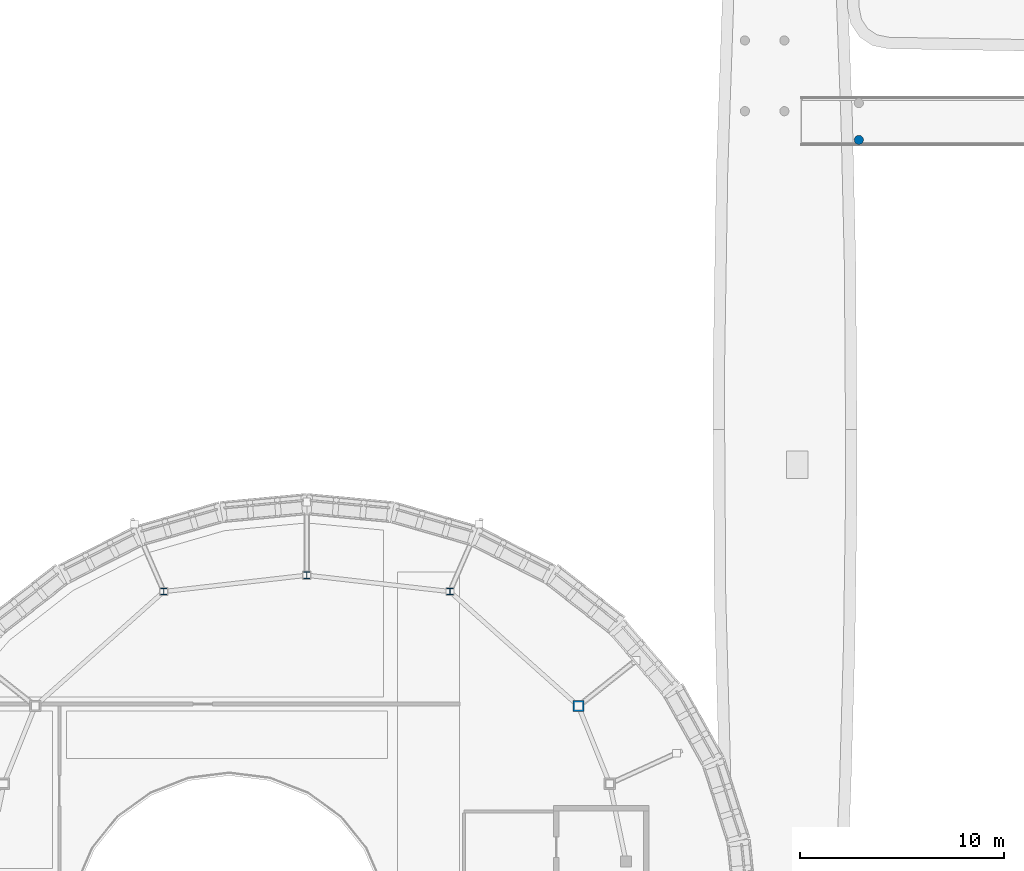
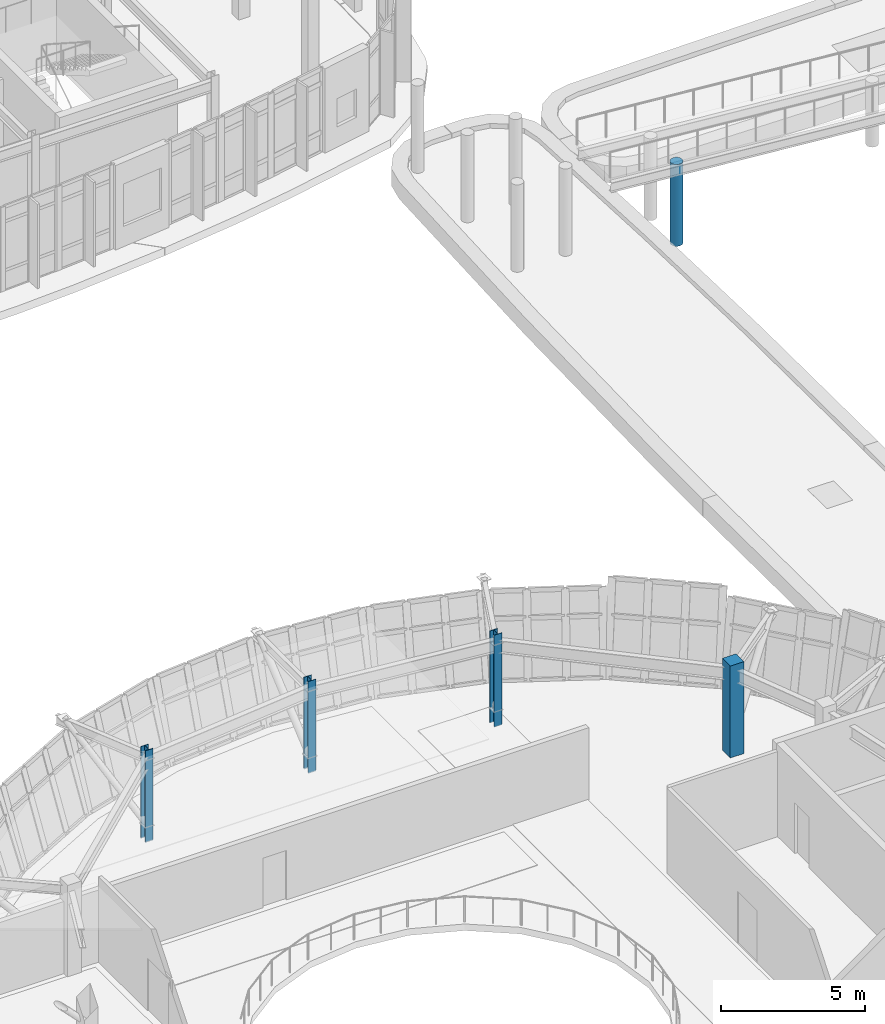
# One storey, part 3 of 111: 5 columns.
"""IFC4 building model written with IfcOpenShell, lengths in metres."""

from ifc_helpers import new_model, si_unit, direction, frame, origin, origin_2d, place, context, subcontext, project, spatial, rectangle, circle, i_section, extrude, material, material_profile, profile_set, type_object, element, save


model = new_model("IFC4")

# Units and contexts
model_context = context("Model", 3, precision=1e-05, world=origin(), true_north=direction((0.0, 1.0)))
body_context = subcontext(model_context, "Body", "Model", "MODEL_VIEW")
ifc_project = project(units=[si_unit("LENGTHUNIT", "METRE"), si_unit("AREAUNIT", "SQUARE_METRE"), si_unit("VOLUMEUNIT", "CUBIC_METRE"), si_unit("PLANEANGLEUNIT", "RADIAN"), si_unit("MASSUNIT", "GRAM", prefix="KILO")], contexts=[model_context])

# Site, building, storey
site_placement = place(None, origin())
site = spatial("IfcSite", under=ifc_project, at=site_placement, CompositionType="ELEMENT")
building_placement = place(site_placement, origin())
building = spatial("IfcBuilding", under=site, at=building_placement, Name="Corveleigh Park Community Centre", CompositionType="ELEMENT")
storey_placement = place(building_placement, frame((0.0, 0.0, 4.800048828125)))
storey = spatial("IfcBuildingStorey", under=building, at=storey_placement, Name="L01", CompositionType="ELEMENT", Elevation=4.800048828125)

# Columns
ifc_material_1 = material(Name="Concrete C40/50", Category="concrete")
ifc_material_profile_1 = material_profile(ifc_material_1, rectangle(XDim=0.550048828125, YDim=0.550048828125, at=origin_2d()), Name="RC-550x550", Category="concrete")
ifc_profile_set_1 = profile_set([ifc_material_profile_1], Name="Concrete C40/50")
column_type_1 = type_object("IfcColumnType", Name="COL-RC-550x550", PredefinedType="COLUMN", material=ifc_profile_set_1)
column_1_placement = place(storey_placement, frame((44.2900390625, 38.199951171875, 0.0), z_axis=(0.0, 0.0, 1.0), x_axis=(1.0, 0.0, 0.0)))
element("IfcColumn", 1, at=column_1_placement, inside=storey, type_object=column_type_1, Name="Column V1-E7 L01", PredefinedType="COLUMN", context=body_context, shape_type="SweptSolid", body=[
    extrude(rectangle(XDim=0.550048828125, YDim=0.550048828125, at=origin_2d()), origin(), (0.0, 0.0, 1.0), 3.89990234375),
])
ifc_material_profile_2 = material_profile(ifc_material_1, circle(Radius=0.22509765625, at=origin_2d()), Name="RC-450D", Category="concrete")
ifc_profile_set_2 = profile_set([ifc_material_profile_2], Name="Concrete C40/50")
column_type_2 = type_object("IfcColumnType", Name="COL-RCE-450D", PredefinedType="COLUMN", material=ifc_profile_set_2)
column_2_placement = place(storey_placement, frame((58.008056640625, 65.89990234375, 0.0), z_axis=(0.0, 0.0, 1.0), x_axis=(1.0, 0.0, 0.0)))
element("IfcColumn", 2, at=column_2_placement, inside=storey, type_object=column_type_2, Name="External deck support pier 106 L01", PredefinedType="COLUMN", context=body_context, shape_type="SweptSolid", body=[
    extrude(circle(Radius=0.22509765625, at=origin_2d()), origin(), (0.0, 0.0, 1.0), 3.469970703125),
])
ifc_material_2 = material(Name="Steel S355", Category="steel")
ifc_material_profile_3 = material_profile(ifc_material_2, i_section(OverallWidth=0.30908203125, OverallDepth=0.320556640625, WebThickness=0.013916015625, FlangeThickness=0.021728515625, at=origin_2d()), Name="UKC 305x305x137", Category="steel")
ifc_profile_set_3 = profile_set([ifc_material_profile_3], Name="Steel S355")
column_type_3 = type_object("IfcColumnType", Name="COL-STL-UKC305x137", PredefinedType="COLUMN", material=ifc_profile_set_3)
for number, where, z_axis, x_axis, name in (
    (3, (24.0, 43.800048828125, 0.0), (0.0, 0.0, 1.0), (1.0, 0.0, 0.0), "Column V1-N1 L01"),
    (4, (31.0, 44.60009765625, 0.0), (0.0, 0.0, 1.0), (1.0, 0.0, 0.0), "Column V1-N2 L01"),
    (5, (38.0, 43.800048828125, 0.0), (0.0, 0.0, 1.0), (1.0, 0.0, 0.0), "Column V1-N3 L01"),
):
    element("IfcColumn", number, at=place(storey_placement, frame(where, z_axis=z_axis, x_axis=x_axis)), inside=storey, type_object=column_type_3, Name=name, PredefinedType="COLUMN", context=body_context, shape_type="SweptSolid", body=[
        extrude(i_section(OverallWidth=0.30908203125, OverallDepth=0.320556640625, WebThickness=0.013916015625, FlangeThickness=0.021728515625, at=origin_2d()), origin(), (0.0, 0.0, 1.0), 3.89990234375),
    ])

save(model, "model.ifc")
